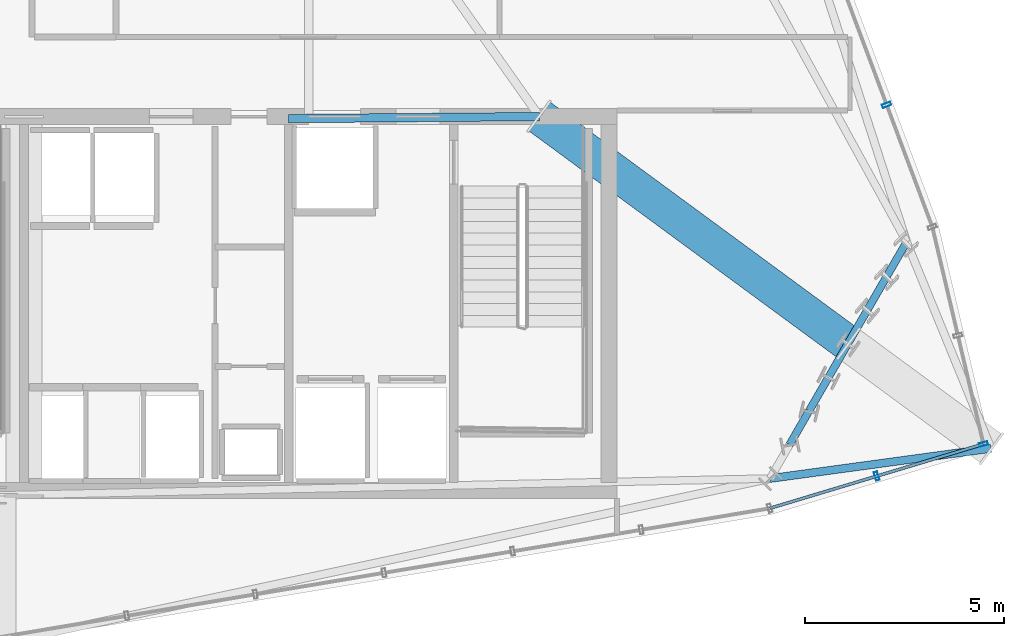
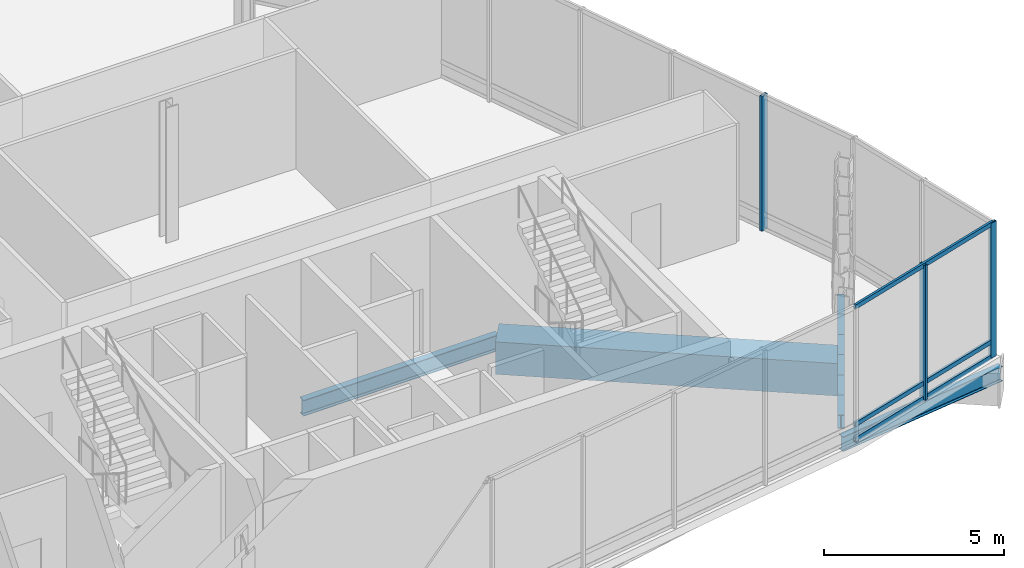
# One storey, part 10 of 28: 9 beams, 6 members, 3 elements without a shape of their own.
"""IFC4 building model written with IfcOpenShell, lengths in metres."""

import ifcopenshell
import ifcopenshell.guid

model = None  # the IFC model being written
_history = None  # IfcOwnerHistory: only IFC2X3 demands one
_inside = {}  # id of a spatial element -> (the spatial element, [elements in it])
_under = {}  # id of a project, library or spatial element -> (it, [spatial elements below it])
_declared = {}  # id of a project -> (the project, [libraries it declares])
_typed = {}  # id of a type object -> (the type object, [elements of that type])
_made_of = {}  # id of a material, layer set ... -> (it, [elements and type objects made of it])


def new_model(schema):
    """Start an empty IFC model of exactly this schema.

    Asked for "IFC4X3", IfcOpenShell would pick the latest addendum, in which some entities
    have other attributes; the version numbers below select the first issue.
    IFC2X3 requires an IfcOwnerHistory on every rooted entity: one is made here for all.
    """
    global model, _history
    if schema == "IFC4X3":
        model = ifcopenshell.file(schema_version=(4, 3, 0, 0))
    else:
        model = ifcopenshell.file(schema=schema)
    _inside.clear()
    _under.clear()
    _declared.clear()
    _typed.clear()
    _made_of.clear()
    _history = None
    if model.schema == "IFC2X3":
        org = make("IfcOrganization", Name="unknown")
        user = make(
            "IfcPersonAndOrganization",
            ThePerson=make("IfcPerson", FamilyName="unknown"),
            TheOrganization=org,
        )
        app = make(
            "IfcApplication",
            ApplicationDeveloper=org,
            Version="unknown",
            ApplicationFullName="unknown",
            ApplicationIdentifier="unknown",
        )
        _history = make(
            "IfcOwnerHistory",
            OwningUser=user,
            OwningApplication=app,
            ChangeAction="ADDED",
            CreationDate=0,
        )
    return model


def make(cls, **values):
    """One entity of the class cls with the attributes given. An attribute that is None is left unset."""
    return model.create_entity(
        cls, **{name: value for name, value in values.items() if value is not None}
    )


def rooted(cls, **values):
    """An entity with a GlobalId (a new one), such as an element, a storey or a relation."""
    return make(cls, GlobalId=ifcopenshell.guid.new(), OwnerHistory=_history, **values)


def si_unit(unit_type, name, prefix=None):
    """IfcSIUnit, for example si_unit("LENGTHUNIT", "METRE", prefix="MILLI")."""
    return make("IfcSIUnit", UnitType=unit_type, Prefix=prefix, Name=name)


def assignment(units):
    """IfcUnitAssignment: the units of a project."""
    return None if units is None else make("IfcUnitAssignment", Units=units)


def point(xyz):
    """IfcCartesianPoint."""
    return None if xyz is None else make("IfcCartesianPoint", Coordinates=xyz)


def direction(xyz):
    """IfcDirection."""
    return None if xyz is None else make("IfcDirection", DirectionRatios=xyz)


def frame(location, z_axis=None, x_axis=None):
    """IfcAxis2Placement3D, a coordinate frame: its origin and axes. An axis left out is left unset."""
    return make(
        "IfcAxis2Placement3D",
        Location=point(location),
        Axis=direction(z_axis),
        RefDirection=direction(x_axis),
    )


def frame_2d(location, x_axis=None):
    """IfcAxis2Placement2D, a coordinate frame in the plane: its origin and x axis."""
    return make(
        "IfcAxis2Placement2D", Location=point(location), RefDirection=direction(x_axis)
    )


def origin():
    """The frame at (0, 0, 0) with its axes left unset."""
    return frame((0.0, 0.0, 0.0))


def origin_2d():
    """The frame at (0, 0) in the plane with its x axis left unset."""
    return frame_2d((0.0, 0.0))


def place(relative_to, where):
    """IfcLocalPlacement: puts the frame where relative to a parent placement (None: the world)."""
    return make(
        "IfcLocalPlacement", PlacementRelTo=relative_to, RelativePlacement=where
    )


def context(
    kind, dimensions, precision=None, world=None, true_north=None, identifier=None
):
    """IfcGeometricRepresentationContext, for example the 3D "Model" context."""
    return make(
        "IfcGeometricRepresentationContext",
        ContextIdentifier=identifier,
        ContextType=kind,
        CoordinateSpaceDimension=dimensions,
        Precision=precision,
        WorldCoordinateSystem=world,
        TrueNorth=true_north,
    )


def subcontext(parent, identifier, kind, view, scale=None):
    """IfcGeometricRepresentationSubContext, for example "Body" below "Model"."""
    return make(
        "IfcGeometricRepresentationSubContext",
        ContextIdentifier=identifier,
        ContextType=kind,
        ParentContext=parent,
        TargetScale=scale,
        TargetView=view,
    )


def project(units=None, contexts=None):
    """IfcProject with its units and contexts."""
    return rooted(
        "IfcProject",
        Name="project",
        RepresentationContexts=contexts,
        UnitsInContext=assignment(units),
    )


def spatial(cls, under=None, at=None, **own):
    """A site, building, storey or space (cls), placed at a placement, below another one or the project."""
    s = rooted(cls, ObjectPlacement=at, **own)
    if under is not None:
        _under.setdefault(under.id(), (under, []))[1].append(s)
    return s


def profile(cls, at=None, kind="AREA", **sizes):
    """A parametric profile (cls). Its sizes go by their IFC names, for example OverallWidth=200.0."""
    return make(cls, ProfileType=kind, Position=at, **sizes)


def hollow_rectangle(**sizes):
    """IfcRectangleHollowProfileDef."""
    return profile("IfcRectangleHollowProfileDef", **sizes)


def i_section(**sizes):
    """IfcIShapeProfileDef."""
    return profile("IfcIShapeProfileDef", **sizes)


def extrude(swept, where, along, depth):
    """IfcExtrudedAreaSolid: the profile swept, set in the frame where, extruded along a direction by depth."""
    return make(
        "IfcExtrudedAreaSolid",
        SweptArea=swept,
        Position=where,
        ExtrudedDirection=direction(along),
        Depth=depth,
    )


def shape(context_of_items, identifier, shape_type, items):
    """IfcShapeRepresentation: the items that make up one representation, for example the "Body"."""
    return make(
        "IfcShapeRepresentation",
        ContextOfItems=context_of_items,
        RepresentationIdentifier=identifier,
        RepresentationType=shape_type,
        Items=items,
    )


def material(Name=None, Category=None):
    """IfcMaterial."""
    return make("IfcMaterial", Name=Name, Category=Category)


def layer(
    of_material, thickness, ventilated=None, Name=None, Category=None, Priority=None
):
    """IfcMaterialLayer: one layer of a wall or slab, of a material (None: an air gap)."""
    return make(
        "IfcMaterialLayer",
        Material=of_material,
        LayerThickness=thickness,
        IsVentilated=ventilated,
        Name=Name,
        Category=Category,
        Priority=Priority,
    )


def layer_set(layers, Name=None):
    """IfcMaterialLayerSet."""
    return make("IfcMaterialLayerSet", MaterialLayers=layers, LayerSetName=Name)


def material_profile(
    of_material, cross_section, Name=None, Category=None, Priority=None
):
    """IfcMaterialProfile: a cross section and its material."""
    return make(
        "IfcMaterialProfile",
        Name=Name,
        Material=of_material,
        Profile=cross_section,
        Priority=Priority,
        Category=Category,
    )


def profile_set(profiles, Name=None, composite=None):
    """IfcMaterialProfileSet."""
    return make(
        "IfcMaterialProfileSet",
        Name=Name,
        MaterialProfiles=profiles,
        CompositeProfile=composite,
    )


def made_of(thing, what):
    """Note that an element or type object is made of a material, layer set ...; save() writes the relation."""
    if what is not None:
        _made_of.setdefault(what.id(), (what, []))[1].append(thing)
    return thing


def type_object(cls, material=None, **own):
    """A type object (cls), such as IfcWallType, which elements share."""
    return made_of(rooted(cls, **own), material)


def element(
    cls,
    number,
    at=None,
    inside=None,
    cuts=None,
    type_object=None,
    material=None,
    context=None,
    identifier="Body",
    shape_type=None,
    held_by="IfcProductDefinitionShape",
    body=None,
    shapes=None,
    **own,
):
    """One element of the class cls, such as IfcWall. Its Tag is "e" and its number.

    at: its placement. inside: the storey or other place that contains it. cuts: it is an
    opening in that element (IfcRelVoidsElement). A single representation is given by context,
    identifier, shape_type and body (its items); several are given by shapes. held_by: the class
    of the entity that holds the representations. save() writes the other relations.
    """
    e = rooted(cls, Tag="e%d" % number, ObjectPlacement=at, **own)
    if body is not None:
        shapes = [shape(context, identifier, shape_type, body)]
    if shapes is not None:
        e.Representation = make(held_by, Representations=shapes)
    if inside is not None:
        _inside.setdefault(inside.id(), (inside, []))[1].append(e)
    if cuts is not None:
        rooted(
            "IfcRelVoidsElement", RelatingBuildingElement=cuts, RelatedOpeningElement=e
        )
    if type_object is not None:
        _typed.setdefault(type_object.id(), (type_object, []))[1].append(e)
    return made_of(e, material)


def aggregate(whole, parts):
    """IfcRelAggregates: a whole, such as a stair, and the parts it consists of."""
    return rooted("IfcRelAggregates", RelatingObject=whole, RelatedObjects=parts)


def save(model, path):
    """Write the relations noted so far, then the file.

    IfcRelAggregates (storeys below a building ...), IfcRelContainedInSpatialStructure (elements
    in a storey), IfcRelDefinesByType, IfcRelAssociatesMaterial and IfcRelDeclares: one each for
    every whole, place, type object, material and project.
    """
    for whole, parts in _under.values():
        aggregate(whole, parts)
    for where, things in _inside.values():
        rooted(
            "IfcRelContainedInSpatialStructure",
            RelatedElements=things,
            RelatingStructure=where,
        )
    for kind, things in _typed.values():
        rooted("IfcRelDefinesByType", RelatedObjects=things, RelatingType=kind)
    for what, things in _made_of.values():
        rooted("IfcRelAssociatesMaterial", RelatedObjects=things, RelatingMaterial=what)
    for by, libraries in _declared.values():
        rooted("IfcRelDeclares", RelatingContext=by, RelatedDefinitions=libraries)
    model.write(path)


model = new_model("IFC4")

# Units and contexts
model_context = context("Model", 3, precision=1e-05, world=origin(), true_north=direction((0.0, 1.0)))
body_context = subcontext(model_context, "Body", "Model", "MODEL_VIEW")
ifc_project = project(units=[si_unit("LENGTHUNIT", "METRE"), si_unit("AREAUNIT", "SQUARE_METRE"), si_unit("VOLUMEUNIT", "CUBIC_METRE"), si_unit("PLANEANGLEUNIT", "RADIAN"), si_unit("MASSUNIT", "GRAM", prefix="KILO")], contexts=[model_context])

# Site, building, storey
site_placement = place(None, origin())
site = spatial("IfcSite", under=ifc_project, at=site_placement, CompositionType="ELEMENT")
building_placement = place(site_placement, origin())
building = spatial("IfcBuilding", under=site, at=building_placement, Name="Ndaravel Arena Tower", CompositionType="ELEMENT")
storey_placement = place(building_placement, frame((0.0, 0.0, 213.199951171875)))
storey = spatial("IfcBuildingStorey", under=building, at=storey_placement, Name="L51", CompositionType="ELEMENT", Elevation=213.199951171875)

# Beams
ifc_material_1 = material(Name="Steel S355", Category="steel")
ifc_material_profile_1 = material_profile(ifc_material_1, i_section(OverallWidth=0.210693359375, OverallDepth=0.53955078125, WebThickness=0.01171875, FlangeThickness=0.018798828125, FilletRadius=0.0126953125, at=origin_2d()), Name="UB 533x210x109")
ifc_profile_set_1 = profile_set([ifc_material_profile_1], Name="Steel S355")
beam_type_1 = type_object("IfcBeamType", Name="BM-GIRD-UB533", PredefinedType="BEAM", material=ifc_profile_set_1)
beam_1_placement = place(storey_placement, frame((49.300048828125, 14.949951171875, -0.5498046875), z_axis=(0.99996848057, 0.007939638968, 0.0), x_axis=(-0.007939638968, 0.99996848057, 0.0)))
element("IfcBeam", 1, at=beam_1_placement, inside=storey, type_object=beam_type_1, Name="L51 Star Backspan Anchor Tie SAT1-3", PredefinedType="BEAM", context=body_context, shape_type="SweptSolid", body=[
    extrude(i_section(OverallWidth=0.210693359375, OverallDepth=0.53955078125, WebThickness=0.01171875, FlangeThickness=0.018798828125, FilletRadius=0.0126953125, at=origin_2d()), origin(), (0.0, 0.0, 1.0), 6.3037109375),
])
ifc_material_2 = material(Name="Steel S355", Category="steel")
ifc_material_profile_2 = material_profile(ifc_material_2, i_section(OverallWidth=0.18994140625, OverallDepth=0.449951171875, WebThickness=0.009521484375, FlangeThickness=0.0146484375, FilletRadius=0.02099609375, at=origin_2d()), Name="IPE 450")
ifc_profile_set_2 = profile_set([ifc_material_profile_2], Name="Steel S355")
beam_type_2 = type_object("IfcBeamType", Name="BM-SPAN-IPE450", PredefinedType="SPANDREL", material=ifc_profile_set_2)
for number, where, z_axis, x_axis, name in (
    (2, (61.88720703125, 6.753662109375, -0.5048828125), (0.499995473844, 0.866028016946, 0.0), (-0.866028016946, 0.499995473844, 0.0), "L51 Perimeter Spandrel Beam SP-03"),
    (3, (62.37744140625, 7.602783203125, -0.5048828125), (0.499995473844, 0.866028016946, 0.0), (-0.866028016946, 0.499995473844, 0.0), "L51 Perimeter Spandrel Beam SP-04"),
):
    element("IfcBeam", number, at=place(storey_placement, frame(where, z_axis=z_axis, x_axis=x_axis)), inside=storey, type_object=beam_type_2, Name=name, PredefinedType="SPANDREL", context=body_context, shape_type="SweptSolid", body=[
        extrude(i_section(OverallWidth=0.18994140625, OverallDepth=0.449951171875, WebThickness=0.009521484375, FlangeThickness=0.0146484375, FilletRadius=0.02099609375, at=origin_2d()), origin(), (0.0, 0.0, 1.0), 0.98046875),
    ])
beam_2_placement = place(storey_placement, frame((62.86767578125, 8.451904296875, -0.5048828125), z_axis=(0.500103313483, 0.8659657475, 0.0), x_axis=(-0.8659657475, 0.500103313483, 0.0)))
element("IfcBeam", 4, at=beam_2_placement, inside=storey, type_object=beam_type_2, Name="L51 Perimeter Spandrel Beam SP-05", PredefinedType="SPANDREL", context=body_context, shape_type="SweptSolid", body=[
    extrude(i_section(OverallWidth=0.18994140625, OverallDepth=0.449951171875, WebThickness=0.009521484375, FlangeThickness=0.0146484375, FilletRadius=0.02099609375, at=origin_2d()), origin(), (0.0, 0.0, 1.0), 0.980224609375),
])
for number, where, z_axis, x_axis, name in (
    (5, (63.35791015625, 9.30078125, -0.5048828125), (0.499995473844, 0.866028016946, 0.0), (-0.866028016946, 0.499995473844, 0.0), "L51 Perimeter Spandrel Beam SP-06"),
    (6, (63.84814453125, 10.14990234375, -0.5048828125), (0.499995473844, 0.866028016946, 0.0), (-0.866028016946, 0.499995473844, 0.0), "L51 Perimeter Spandrel Beam SP-07"),
    (7, (64.33837890625, 10.9990234375, -0.5048828125), (0.499995473844, 0.866028016946, 0.0), (-0.866028016946, 0.499995473844, 0.0), "L51 Perimeter Spandrel Beam SP-08"),
):
    element("IfcBeam", number, at=place(storey_placement, frame(where, z_axis=z_axis, x_axis=x_axis)), inside=storey, type_object=beam_type_2, Name=name, PredefinedType="SPANDREL", context=body_context, shape_type="SweptSolid", body=[
        extrude(i_section(OverallWidth=0.18994140625, OverallDepth=0.449951171875, WebThickness=0.009521484375, FlangeThickness=0.0146484375, FilletRadius=0.02099609375, at=origin_2d()), origin(), (0.0, 0.0, 1.0), 0.98046875),
    ])
ifc_material_3 = material(Name="Steel S355", Category="steel")
ifc_material_profile_3 = material_profile(ifc_material_3, i_section(OverallWidth=0.199951171875, OverallDepth=0.5, WebThickness=0.01025390625, FlangeThickness=0.01611328125, FilletRadius=0.02099609375, at=origin_2d()), Name="IPE 500")
ifc_profile_set_3 = profile_set([ifc_material_profile_3], Name="Steel S355")
beam_type_3 = type_object("IfcBeamType", Name="BM-SPAN-IPE500", PredefinedType="SPANDREL", material=ifc_profile_set_3)
beam_3_placement = place(storey_placement, frame((61.397216796875, 5.904541015625, -0.530029296875), z_axis=(0.990836265135, 0.135068485199, 0.0), x_axis=(-0.135068485199, 0.990836265135, 0.0)))
element("IfcBeam", 8, at=beam_3_placement, inside=storey, type_object=beam_type_3, Name="L51 Star Facet Edge Beam SEA-3", PredefinedType="SPANDREL", context=body_context, shape_type="SweptSolid", body=[
    extrude(i_section(OverallWidth=0.199951171875, OverallDepth=0.5, WebThickness=0.01025390625, FlangeThickness=0.01611328125, FilletRadius=0.02099609375, at=origin_2d()), origin(), (0.0, 0.0, 1.0), 5.603271484375),
])
ifc_material_4 = material(Name="Steel S460", Category="steel")
ifc_material_profile_4 = material_profile(ifc_material_4, hollow_rectangle(XDim=0.89990234375, YDim=1.10009765625, WallThickness=0.06494140625, at=origin_2d()), Name="BOX 1100x900x65")
ifc_profile_set_4 = profile_set([ifc_material_profile_4], Name="Steel S460")
beam_type_4 = type_object("IfcBeamType", Name="BM-STAR-BOX1100", PredefinedType="BEAM", material=ifc_profile_set_4)
beam_4_placement = place(storey_placement, frame((55.603515625, 15.0, -0.829833984375), z_axis=(0.80577705705, -0.59221899187, 0.0), x_axis=(0.59221899187, 0.80577705705, 0.0)))
element("IfcBeam", 9, at=beam_4_placement, inside=storey, type_object=beam_type_4, Name="L51 Star Cantilever Backspan Girder SBG-3", PredefinedType="BEAM", context=body_context, shape_type="SweptSolid", body=[
    extrude(hollow_rectangle(XDim=0.89990234375, YDim=1.10009765625, WallThickness=0.06494140625, at=origin_2d()), origin(), (0.0, 0.0, 1.0), 9.62353515625),
])

# Curtain wall, member
ifc_material_5 = material(Name="Aluminium", Category="aluminium")
ifc_layer = layer(ifc_material_5, 0.179931640625)
ifc_layer_set = layer_set([ifc_layer], Name="Aluminium")
curtain_wall_type = type_object("IfcCurtainWallType", Name="CW-SYS-04", PredefinedType="NOTDEFINED", material=ifc_layer_set)
curtain_wall_1_placement = place(storey_placement, origin())
curtain_wall_1 = element("IfcCurtainWall", 10, at=curtain_wall_1_placement, inside=storey, type_object=curtain_wall_type, Name="L51 Faceted Crystal Curtain Wall CW-L51-E04", PredefinedType="NOTDEFINED")
ifc_material_6 = material(Name="Aluminium", Category="aluminium")
ifc_material_profile_5 = material_profile(ifc_material_6, hollow_rectangle(XDim=0.090087890625, YDim=0.219970703125, WallThickness=0.0048828125, at=origin_2d()), Name="CW MULLION 90x220x5")
ifc_profile_set_5 = profile_set([ifc_material_profile_5], Name="Aluminium")
member_type_1 = type_object("IfcMemberType", Name="MEM-CW-MUL220", PredefinedType="MULLION", material=ifc_profile_set_5)
member_1_placement = place(storey_placement, frame((64.075927734375, 5.963623046875, 0.0), z_axis=(0.0, 0.0, 1.0), x_axis=(0.957576390633, 0.288179555317, 0.0)))
member_1 = element("IfcMember", 11, at=member_1_placement, type_object=member_type_1, Name="CW-L51-E04 Mullion 01", PredefinedType="MULLION", context=body_context, shape_type="SweptSolid", body=[
    extrude(hollow_rectangle(XDim=0.090087890625, YDim=0.219970703125, WallThickness=0.0048828125, at=origin_2d()), origin(), (0.0, 0.0, 1.0), 4.580078125),
])

curtain_wall_2_placement = place(storey_placement, origin())
curtain_wall_2 = element("IfcCurtainWall", 12, at=curtain_wall_2_placement, inside=storey, type_object=curtain_wall_type, Name="L51 Faceted Crystal Curtain Wall CW-L51-E05", PredefinedType="NOTDEFINED")
member_2_placement = place(storey_placement, frame((66.759033203125, 6.77099609375, 0.0), z_axis=(0.0, 0.0, 1.0), x_axis=(-0.22921737956, 0.973375258011, 0.0)))
member_2 = element("IfcMember", 13, at=member_2_placement, type_object=member_type_1, Name="CW-L51-E05 Mullion 00", PredefinedType="MULLION", context=body_context, shape_type="SweptSolid", body=[
    extrude(hollow_rectangle(XDim=0.090087890625, YDim=0.219970703125, WallThickness=0.0048828125, at=origin_2d()), origin(), (0.0, 0.0, 1.0), 4.580078125),
])
aggregate(curtain_wall_2, [member_2])

curtain_wall_3_placement = place(storey_placement, origin())
curtain_wall_3 = element("IfcCurtainWall", 14, at=curtain_wall_3_placement, inside=storey, type_object=curtain_wall_type, Name="L51 Faceted Crystal Curtain Wall CW-L51-E06", PredefinedType="NOTDEFINED")
member_3_placement = place(storey_placement, frame((64.32666015625, 15.29541015625, 0.0), z_axis=(0.0, 0.0, 1.0), x_axis=(-0.350272772461, 0.936647737878, 0.0)))
member_3 = element("IfcMember", 15, at=member_3_placement, type_object=member_type_1, Name="CW-L51-E06 Mullion 01", PredefinedType="MULLION", context=body_context, shape_type="SweptSolid", body=[
    extrude(hollow_rectangle(XDim=0.090087890625, YDim=0.219970703125, WallThickness=0.0048828125, at=origin_2d()), origin(), (0.0, 0.0, 1.0), 4.580078125),
])
aggregate(curtain_wall_3, [member_3])

# Member
ifc_material_7 = material(Name="Aluminium", Category="aluminium")
ifc_material_profile_6 = material_profile(ifc_material_7, hollow_rectangle(XDim=0.074951171875, YDim=0.14990234375, WallThickness=0.00390625, at=origin_2d()), Name="CW TRANSOM 75x150x4")
ifc_profile_set_6 = profile_set([ifc_material_profile_6], Name="Aluminium")
member_type_2 = type_object("IfcMemberType", Name="MEM-CW-TRN150", PredefinedType="USERDEFINED", material=ifc_profile_set_6)
member_4_placement = place(storey_placement, frame((61.392578125, 5.156005859375, 0.0400390625), z_axis=(0.95757773369, 0.288175092505, 0.0), x_axis=(-0.288175092505, 0.95757773369, 0.0)))
member_4 = element("IfcMember", 16, at=member_4_placement, type_object=member_type_2, Name="CW-L51-E04 Transom 01", ObjectType="TRANSOM", PredefinedType="USERDEFINED", context=body_context, shape_type="SweptSolid", body=[
    extrude(hollow_rectangle(XDim=0.074951171875, YDim=0.14990234375, WallThickness=0.00390625, at=origin_2d()), origin(), (0.0, 0.0, 1.0), 5.604248046875),
])

member_5_placement = place(storey_placement, frame((61.392578125, 5.156005859375, 0.550048828125), z_axis=(0.95757773369, 0.288175092505, 0.0), x_axis=(-0.288175092505, 0.95757773369, 0.0)))
member_5 = element("IfcMember", 17, at=member_5_placement, type_object=member_type_2, Name="CW-L51-E04 Transom 02", ObjectType="TRANSOM", PredefinedType="USERDEFINED", context=body_context, shape_type="SweptSolid", body=[
    extrude(hollow_rectangle(XDim=0.074951171875, YDim=0.14990234375, WallThickness=0.00390625, at=origin_2d()), origin(), (0.0, 0.0, 1.0), 5.604248046875),
])

member_6_placement = place(storey_placement, frame((61.392578125, 5.156005859375, 4.5400390625), z_axis=(0.95757773369, 0.288175092505, 0.0), x_axis=(-0.288175092505, 0.95757773369, 0.0)))
member_6 = element("IfcMember", 18, at=member_6_placement, type_object=member_type_2, Name="CW-L51-E04 Transom 03", ObjectType="TRANSOM", PredefinedType="USERDEFINED", context=body_context, shape_type="SweptSolid", body=[
    extrude(hollow_rectangle(XDim=0.074951171875, YDim=0.14990234375, WallThickness=0.00390625, at=origin_2d()), origin(), (0.0, 0.0, 1.0), 5.604248046875),
])

aggregate(curtain_wall_1, [member_1, member_4, member_5, member_6])

save(model, "model.ifc")
